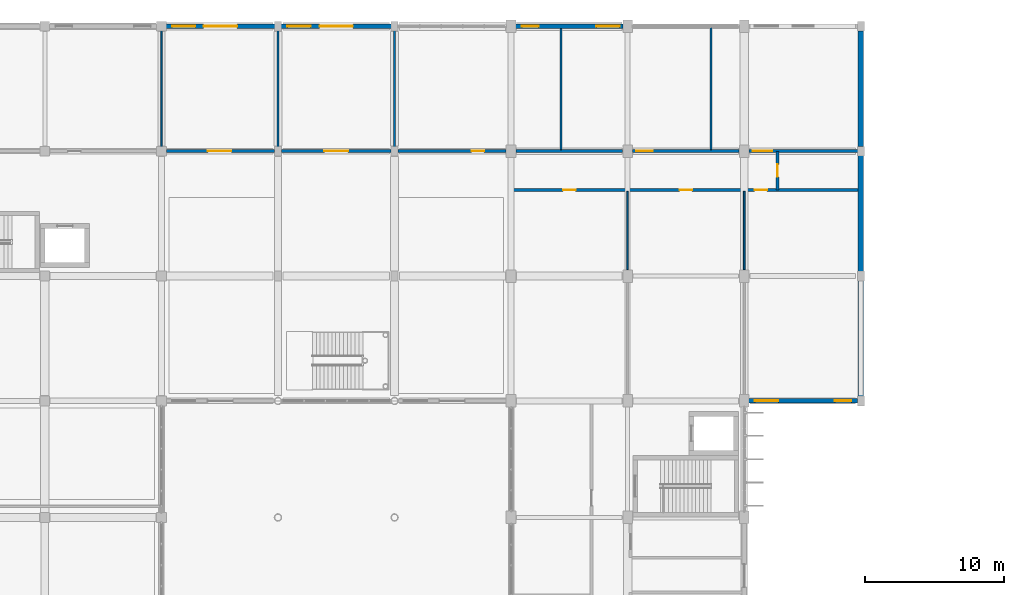
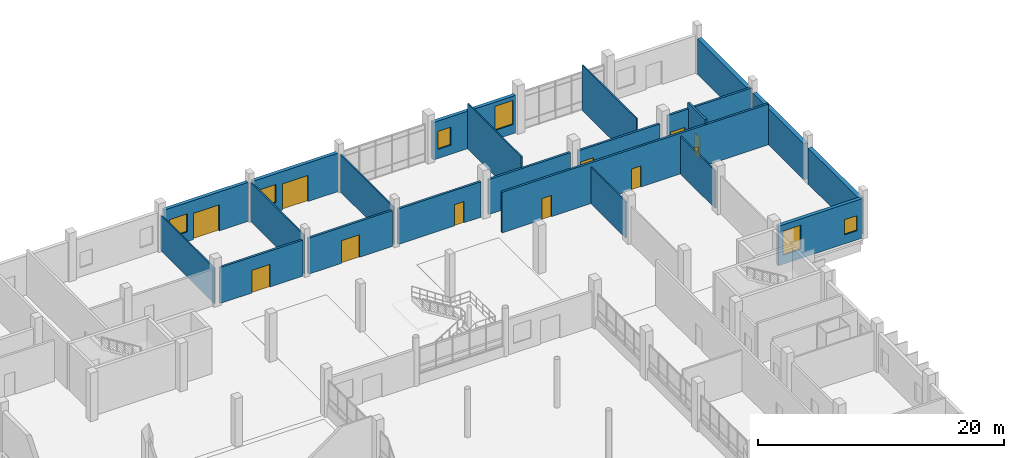
# One storey, part 81 of 95: 22 walls, 11 doors, 6 windows, 17 openings.
"""IFC4 building model written with IfcOpenShell, lengths in metres."""

from ifc_helpers import new_model, si_unit, direction, frame, frame_2d, origin, place, context, subcontext, project, spatial, rectangle, extrude, material, layer, layer_set, type_object, element, fill, save


model = new_model("IFC4")

# Units and contexts
model_context = context("Model", 3, precision=1e-05, world=origin(), true_north=direction((0.0, 1.0)))
body_context = subcontext(model_context, "Body", "Model", "MODEL_VIEW")
ifc_project = project(units=[si_unit("LENGTHUNIT", "METRE"), si_unit("AREAUNIT", "SQUARE_METRE"), si_unit("VOLUMEUNIT", "CUBIC_METRE"), si_unit("PLANEANGLEUNIT", "RADIAN"), si_unit("MASSUNIT", "GRAM", prefix="KILO")], contexts=[model_context])

# Site, building, storey
site_placement = place(None, origin())
site = spatial("IfcSite", under=ifc_project, at=site_placement, CompositionType="ELEMENT")
building_placement = place(site_placement, origin())
building = spatial("IfcBuilding", under=site, at=building_placement, Name="Vireocrest Preparatory School", CompositionType="ELEMENT")
storey_placement = place(building_placement, origin())
storey = spatial("IfcBuildingStorey", under=building, at=storey_placement, Name="L00", CompositionType="ELEMENT", Elevation=0.0)

# Wall, opening, door
ifc_material_1 = material(Name="Gypsum board on cold-formed steel studs", Category="steel")
ifc_layer_1 = layer(ifc_material_1, 0.199951171875)
ifc_layer_set_1 = layer_set([ifc_layer_1], Name="Gypsum board on cold-formed steel studs")
wall_type_1 = type_object("IfcWallType", Name="Corridor One-Hour Fire Partition 200", PredefinedType="PARTITIONING", material=ifc_layer_set_1)
wall_1_placement = place(storey_placement, frame((111.60009765625, 101.010009765625, 0.0), z_axis=(0.0, 0.0, 1.0), x_axis=(0.0, 1.0, 0.0)))
wall_1 = element("IfcWall", 1, at=wall_1_placement, inside=storey, type_object=wall_type_1, Name="Interior Partition W06 IW_L00_0067", PredefinedType="PARTITIONING", context=body_context, shape_type="SweptSolid", body=[
    extrude(rectangle(XDim=2.780029296875, YDim=0.199951171875, at=frame_2d((1.39013671875, 0.0))), origin(), (0.0, 0.0, 1.0), 4.5),
])
opening_1_placement = place(wall_1_placement, frame((0.93994140625, 0.0, 0.0)))
opening_1 = element("IfcOpeningElement", 2, at=opening_1_placement, cuts=wall_1, Name="Opening D-L00-NCEND", PredefinedType="OPENING", context=body_context, shape_type="SweptSolid", body=[
    extrude(rectangle(XDim=0.89990234375, YDim=2.10009765625, at=frame_2d((0.449951171875, 1.050048828125))), frame((0.0, 0.10986328125, 0.0), z_axis=(0.0, -1.0, 0.0), x_axis=(1.0, 0.0, 0.0)), (0.0, 0.0, 1.0), 0.219970703125),
])
ifc_material_2 = material(Name="Solid-core architectural birch timber", Category="wood")
door_type_1 = type_object("IfcDoorType", Name="Office Timber Door 900x2100", OperationType="NOTDEFINED", PredefinedType="DOOR", material=ifc_material_2)
door_1_placement = place(opening_1_placement, origin())
door_1 = element("IfcDoor", 3, at=door_1_placement, inside=storey, type_object=door_type_1, Name="Interior Door D-L00-NCEND", OperationType="SINGLE_SWING_LEFT", OverallHeight=2.10009765625, OverallWidth=0.89990234375, PredefinedType="DOOR", context=body_context, shape_type="SweptSolid", body=[
    extrude(rectangle(XDim=0.89990234375, YDim=2.10009765625, at=frame_2d((0.449951171875, 1.050048828125))), frame((0.0, 0.02490234375, 0.0), z_axis=(0.0, -1.0, 0.0), x_axis=(1.0, 0.0, 0.0)), (0.0, 0.0, 1.0), 0.050048828125),
])
fill(opening_1, door_1)

wall_2_placement = place(storey_placement, frame((67.56005859375, 103.800048828125, 0.0), z_axis=(0.0, 0.0, 1.0), x_axis=(1.0, 0.0, 0.0)))
wall_2 = element("IfcWall", 4, at=wall_2_placement, inside=storey, type_object=wall_type_1, Name="Interior Partition W06 IW_L00_0078", PredefinedType="PARTITIONING", context=body_context, shape_type="SweptSolid", body=[
    extrude(rectangle(XDim=7.780029296875, YDim=0.199951171875, at=frame_2d((3.89013671875, 0.0))), origin(), (0.0, 0.0, 1.0), 3.570068359375),
])
opening_2_placement = place(wall_2_placement, frame((2.989990234375, 0.0, 0.0)))
opening_2 = element("IfcOpeningElement", 5, at=opening_2_placement, cuts=wall_2, Name="Opening D-L00-NNE02", PredefinedType="OPENING", context=body_context, shape_type="SweptSolid", body=[
    extrude(rectangle(XDim=1.699951171875, YDim=2.25, at=frame_2d((0.85009765625, 1.125))), frame((0.0, 0.10986328125, 0.0), z_axis=(0.0, -1.0, 0.0), x_axis=(1.0, 0.0, 0.0)), (0.0, 0.0, 1.0), 0.219970703125),
])
ifc_material_3 = material(Name="Painted galvanized hollow steel", Category="steel")
door_type_2 = type_object("IfcDoorType", Name="Corridor Cross-Fire Double Door 1700x2250", OperationType="DOUBLE_DOOR_SINGLE_SWING", PredefinedType="DOOR", material=ifc_material_3)
door_2_placement = place(opening_2_placement, origin())
door_2 = element("IfcDoor", 6, at=door_2_placement, inside=storey, type_object=door_type_2, Name="Interior Door D-L00-NNE02", OperationType="DOUBLE_DOOR_SINGLE_SWING", OverallHeight=2.25, OverallWidth=1.699951171875, PredefinedType="DOOR", context=body_context, shape_type="SweptSolid", body=[
    extrude(rectangle(XDim=1.699951171875, YDim=2.25, at=frame_2d((0.85009765625, 1.125))), frame((0.0, 0.02490234375, 0.0), z_axis=(0.0, -1.0, 0.0), x_axis=(1.0, 0.0, 0.0)), (0.0, 0.0, 1.0), 0.050048828125),
])
fill(opening_2, door_2)

wall_3_placement = place(storey_placement, frame((75.860107421875, 103.800048828125, 0.0), z_axis=(0.0, 0.0, 1.0), x_axis=(1.0, 0.0, 0.0)))
wall_3 = element("IfcWall", 7, at=wall_3_placement, inside=storey, type_object=wall_type_1, Name="Interior Partition W06 IW_L00_0079", PredefinedType="PARTITIONING", context=body_context, shape_type="SweptSolid", body=[
    extrude(rectangle(XDim=7.8798828125, YDim=0.199951171875, at=frame_2d((3.93994140625, 0.0))), origin(), (0.0, 0.0, 1.0), 3.570068359375),
])
opening_3_placement = place(wall_3_placement, frame((3.090087890625, 0.0, 0.0)))
opening_3 = element("IfcOpeningElement", 8, at=opening_3_placement, cuts=wall_3, Name="Opening D-L00-NNE03", PredefinedType="OPENING", context=body_context, shape_type="SweptSolid", body=[
    extrude(rectangle(XDim=1.699951171875, YDim=2.25, at=frame_2d((0.85009765625, 1.125))), frame((0.0, 0.10986328125, 0.0), z_axis=(0.0, -1.0, 0.0), x_axis=(1.0, 0.0, 0.0)), (0.0, 0.0, 1.0), 0.219970703125),
])
door_3_placement = place(opening_3_placement, origin())
door_3 = element("IfcDoor", 9, at=door_3_placement, inside=storey, type_object=door_type_2, Name="Interior Door D-L00-NNE03", OperationType="DOUBLE_DOOR_SINGLE_SWING", OverallHeight=2.25, OverallWidth=1.699951171875, PredefinedType="DOOR", context=body_context, shape_type="SweptSolid", body=[
    extrude(rectangle(XDim=1.699951171875, YDim=2.25, at=frame_2d((0.85009765625, 1.125))), frame((0.0, 0.02490234375, 0.0), z_axis=(0.0, -1.0, 0.0), x_axis=(1.0, 0.0, 0.0)), (0.0, 0.0, 1.0), 0.050048828125),
])
fill(opening_3, door_3)

wall_4_placement = place(storey_placement, frame((84.260009765625, 103.800048828125, 0.0), z_axis=(0.0, 0.0, 1.0), x_axis=(1.0, 0.0, 0.0)))
wall_4 = element("IfcWall", 10, at=wall_4_placement, inside=storey, type_object=wall_type_1, Name="Interior Partition W06 IW_L00_0080", PredefinedType="PARTITIONING", context=body_context, shape_type="SweptSolid", body=[
    extrude(rectangle(XDim=7.780029296875, YDim=0.199951171875, at=frame_2d((3.89013671875, 0.0))), origin(), (0.0, 0.0, 1.0), 3.52001953125),
])
opening_4_placement = place(wall_4_placement, frame((5.2900390625, 0.0, 0.0)))
opening_4 = element("IfcOpeningElement", 11, at=opening_4_placement, cuts=wall_4, Name="Opening D-L00-NNE04", PredefinedType="OPENING", context=body_context, shape_type="SweptSolid", body=[
    extrude(rectangle(XDim=0.89990234375, YDim=2.10009765625, at=frame_2d((0.449951171875, 1.050048828125))), frame((0.0, 0.10986328125, 0.0), z_axis=(0.0, -1.0, 0.0), x_axis=(1.0, 0.0, 0.0)), (0.0, 0.0, 1.0), 0.219970703125),
])
door_4_placement = place(opening_4_placement, origin())
door_4 = element("IfcDoor", 12, at=door_4_placement, inside=storey, type_object=door_type_1, Name="Interior Door D-L00-NNE04", OperationType="SINGLE_SWING_RIGHT", OverallHeight=2.10009765625, OverallWidth=0.89990234375, PredefinedType="DOOR", context=body_context, shape_type="SweptSolid", body=[
    extrude(rectangle(XDim=0.89990234375, YDim=2.10009765625, at=frame_2d((0.449951171875, 1.050048828125))), frame((0.0, 0.02490234375, 0.0), z_axis=(0.0, -1.0, 0.0), x_axis=(1.0, 0.0, 0.0)), (0.0, 0.0, 1.0), 0.050048828125),
])
fill(opening_4, door_4)

# Wall
wall_5_placement = place(storey_placement, frame((92.760009765625, 103.800048828125, 0.0), z_axis=(0.0, 0.0, 1.0), x_axis=(1.0, 0.0, 0.0)))
element("IfcWall", 13, at=wall_5_placement, inside=storey, type_object=wall_type_1, Name="Interior Partition W06 IW_L00_0081", PredefinedType="PARTITIONING", context=body_context, shape_type="SweptSolid", body=[
    extrude(rectangle(XDim=7.679931640625, YDim=0.199951171875, at=frame_2d((3.83984375, 0.0))), origin(), (0.0, 0.0, 1.0), 3.469970703125),
])

# Wall, opening, door
wall_6_placement = place(storey_placement, frame((101.159912109375, 103.800048828125, 0.0), z_axis=(0.0, 0.0, 1.0), x_axis=(1.0, 0.0, 0.0)))
wall_6 = element("IfcWall", 14, at=wall_6_placement, inside=storey, type_object=wall_type_1, Name="Interior Partition W06 IW_L00_0082", PredefinedType="PARTITIONING", context=body_context, shape_type="SweptSolid", body=[
    extrude(rectangle(XDim=7.68017578125, YDim=0.199951171875, at=frame_2d((3.840087890625, 0.0))), origin(), (0.0, 0.0, 1.0), 3.3701171875),
])
opening_5_placement = place(wall_6_placement, frame((0.25, 0.0, 0.0)))
opening_5 = element("IfcOpeningElement", 15, at=opening_5_placement, cuts=wall_6, Name="Opening D-L00-NNE05", PredefinedType="OPENING", context=body_context, shape_type="SweptSolid", body=[
    extrude(rectangle(XDim=1.199951171875, YDim=2.199951171875, at=frame_2d((0.60009765625, 1.10009765625))), frame((0.0, 0.10986328125, 0.0), z_axis=(0.0, -1.0, 0.0), x_axis=(1.0, 0.0, 0.0)), (0.0, 0.0, 1.0), 0.219970703125),
])
door_type_3 = type_object("IfcDoorType", Name="Wide Accessible Studio Door 1200x2200", OperationType="NOTDEFINED", PredefinedType="DOOR", material=ifc_material_2)
door_5_placement = place(opening_5_placement, origin())
door_5 = element("IfcDoor", 16, at=door_5_placement, inside=storey, type_object=door_type_3, Name="Interior Door D-L00-NNE05", OperationType="SINGLE_SWING_LEFT", OverallHeight=2.199951171875, OverallWidth=1.199951171875, PredefinedType="DOOR", context=body_context, shape_type="SweptSolid", body=[
    extrude(rectangle(XDim=1.199951171875, YDim=2.199951171875, at=frame_2d((0.60009765625, 1.10009765625))), frame((0.0, 0.02490234375, 0.0), z_axis=(0.0, -1.0, 0.0), x_axis=(1.0, 0.0, 0.0)), (0.0, 0.0, 1.0), 0.050048828125),
])
fill(opening_5, door_5)

wall_7_placement = place(storey_placement, frame((109.56005859375, 103.800048828125, 0.0), z_axis=(0.0, 0.0, 1.0), x_axis=(1.0, 0.0, 0.0)))
wall_7 = element("IfcWall", 17, at=wall_7_placement, inside=storey, type_object=wall_type_1, Name="Interior Partition W06 IW_L00_0083", PredefinedType="PARTITIONING", context=body_context, shape_type="SweptSolid", body=[
    extrude(rectangle(XDim=7.844970703125, YDim=0.199951171875, at=frame_2d((3.92236328125, 0.0))), origin(), (0.0, 0.0, 1.0), 3.919921875),
])
opening_6_placement = place(wall_7_placement, frame((0.25, 0.0, 0.0)))
opening_6 = element("IfcOpeningElement", 18, at=opening_6_placement, cuts=wall_7, Name="Opening D-L00-NNE06", PredefinedType="OPENING", context=body_context, shape_type="SweptSolid", body=[
    extrude(rectangle(XDim=1.39990234375, YDim=2.199951171875, at=frame_2d((0.699951171875, 1.10009765625))), frame((0.0, 0.10986328125, 0.0), z_axis=(0.0, -1.0, 0.0), x_axis=(1.0, 0.0, 0.0)), (0.0, 0.0, 1.0), 0.219970703125),
])
door_type_4 = type_object("IfcDoorType", Name="Lab Equipment Unequal Pair Door 1400x2200", OperationType="DOUBLE_DOOR_SINGLE_SWING", PredefinedType="DOOR", material=ifc_material_3)
door_6_placement = place(opening_6_placement, origin())
door_6 = element("IfcDoor", 19, at=door_6_placement, inside=storey, type_object=door_type_4, Name="Interior Door D-L00-NNE06", OperationType="DOUBLE_DOOR_SINGLE_SWING", OverallHeight=2.199951171875, OverallWidth=1.39990234375, PredefinedType="DOOR", context=body_context, shape_type="SweptSolid", body=[
    extrude(rectangle(XDim=1.39990234375, YDim=2.199951171875, at=frame_2d((0.699951171875, 1.10009765625))), frame((0.0, 0.02490234375, 0.0), z_axis=(0.0, -1.0, 0.0), x_axis=(1.0, 0.0, 0.0)), (0.0, 0.0, 1.0), 0.050048828125),
])
fill(opening_6, door_6)

# Wall, openings, doors
wall_8_placement = place(storey_placement, frame((92.409912109375, 101.0, 0.0), z_axis=(0.0, 0.0, 1.0), x_axis=(1.0, 0.0, 0.0)))
wall_8 = element("IfcWall", 20, at=wall_8_placement, inside=storey, type_object=wall_type_1, Name="Interior Partition W06 IW_L00_0089", PredefinedType="PARTITIONING", context=body_context, shape_type="SweptSolid", body=[
    extrude(rectangle(XDim=24.9951171875, YDim=0.199951171875, at=frame_2d((12.49755859375, 0.0))), origin(), (0.0, 0.0, 1.0), 4.0400390625),
])
opening_7_placement = place(wall_8_placement, frame((3.739990234375, 0.0, 0.0)))
opening_7 = element("IfcOpeningElement", 21, at=opening_7_placement, cuts=wall_8, Name="Opening D-L00-NSE01", PredefinedType="OPENING", context=body_context, shape_type="SweptSolid", body=[
    extrude(rectangle(XDim=0.89990234375, YDim=2.10009765625, at=frame_2d((0.449951171875, 1.050048828125))), frame((0.0, 0.10986328125, 0.0), z_axis=(0.0, -1.0, 0.0), x_axis=(1.0, 0.0, 0.0)), (0.0, 0.0, 1.0), 0.219970703125),
])
opening_8_placement = place(wall_8_placement, frame((12.139892578125, 0.0, 0.0)))
opening_8 = element("IfcOpeningElement", 22, at=opening_8_placement, cuts=wall_8, Name="Opening D-L00-NSE02", PredefinedType="OPENING", context=body_context, shape_type="SweptSolid", body=[
    extrude(rectangle(XDim=0.89990234375, YDim=2.10009765625, at=frame_2d((0.449951171875, 1.050048828125))), frame((0.0, 0.10986328125, 0.0), z_axis=(0.0, -1.0, 0.0), x_axis=(1.0, 0.0, 0.0)), (0.0, 0.0, 1.0), 0.219970703125),
])
opening_9_placement = place(wall_8_placement, frame((17.5400390625, 0.0, 0.0)))
opening_9 = element("IfcOpeningElement", 23, at=opening_9_placement, cuts=wall_8, Name="Opening D-L00-NSE03", PredefinedType="OPENING", context=body_context, shape_type="SweptSolid", body=[
    extrude(rectangle(XDim=0.89990234375, YDim=2.10009765625, at=frame_2d((0.449951171875, 1.050048828125))), frame((0.0, 0.10986328125, 0.0), z_axis=(0.0, -1.0, 0.0), x_axis=(1.0, 0.0, 0.0)), (0.0, 0.0, 1.0), 0.219970703125),
])
door_7_placement = place(opening_7_placement, origin())
door_7 = element("IfcDoor", 24, at=door_7_placement, inside=storey, type_object=door_type_1, Name="Interior Door D-L00-NSE01", OperationType="SINGLE_SWING_LEFT", OverallHeight=2.10009765625, OverallWidth=0.89990234375, PredefinedType="DOOR", context=body_context, shape_type="SweptSolid", body=[
    extrude(rectangle(XDim=0.89990234375, YDim=2.10009765625, at=frame_2d((0.449951171875, 1.050048828125))), frame((0.0, 0.02490234375, 0.0), z_axis=(0.0, -1.0, 0.0), x_axis=(1.0, 0.0, 0.0)), (0.0, 0.0, 1.0), 0.050048828125),
])
fill(opening_7, door_7)
door_8_placement = place(opening_8_placement, origin())
door_8 = element("IfcDoor", 25, at=door_8_placement, inside=storey, type_object=door_type_1, Name="Interior Door D-L00-NSE02", OperationType="SINGLE_SWING_RIGHT", OverallHeight=2.10009765625, OverallWidth=0.89990234375, PredefinedType="DOOR", context=body_context, shape_type="SweptSolid", body=[
    extrude(rectangle(XDim=0.89990234375, YDim=2.10009765625, at=frame_2d((0.449951171875, 1.050048828125))), frame((0.0, 0.02490234375, 0.0), z_axis=(0.0, -1.0, 0.0), x_axis=(1.0, 0.0, 0.0)), (0.0, 0.0, 1.0), 0.050048828125),
])
fill(opening_8, door_8)
door_9_placement = place(opening_9_placement, origin())
door_9 = element("IfcDoor", 26, at=door_9_placement, inside=storey, type_object=door_type_1, Name="Interior Door D-L00-NSE03", OperationType="SINGLE_SWING_LEFT", OverallHeight=2.10009765625, OverallWidth=0.89990234375, PredefinedType="DOOR", context=body_context, shape_type="SweptSolid", body=[
    extrude(rectangle(XDim=0.89990234375, YDim=2.10009765625, at=frame_2d((0.449951171875, 1.050048828125))), frame((0.0, 0.02490234375, 0.0), z_axis=(0.0, -1.0, 0.0), x_axis=(1.0, 0.0, 0.0)), (0.0, 0.0, 1.0), 0.050048828125),
])
fill(opening_9, door_9)

# Wall, openings, windows
ifc_material_4 = material(Name="Precast white concrete 40 MPa", Category="concrete")
ifc_layer_2 = layer(ifc_material_4, 0.320068359375)
ifc_layer_set_2 = layer_set([ifc_layer_2], Name="Precast white concrete 40 MPa")
wall_type_2 = type_object("IfcWallType", Name="High-Tech Insulated Rainscreen External Wall 320", PredefinedType="SOLIDWALL", material=ifc_layer_set_2)
wall_9_placement = place(storey_placement, frame((109.52490234375, 85.800048828125, 0.0), z_axis=(0.0, 0.0, 1.0), x_axis=(1.0, 0.0, 0.0)))
wall_9 = element("IfcWall", 27, at=wall_9_placement, inside=storey, type_object=wall_type_2, Name="External Wall W12 EW_L00_0069", PredefinedType="SOLIDWALL", context=body_context, shape_type="SweptSolid", body=[
    extrude(rectangle(XDim=7.85009765625, YDim=0.320068359375, at=frame_2d((3.925048828125, 0.0))), origin(), (0.0, 0.0, 1.0), 3.919921875),
])
opening_10_placement = place(wall_9_placement, frame((0.449951171875, 0.0, 0.89990234375)))
opening_10 = element("IfcOpeningElement", 28, at=opening_10_placement, cuts=wall_9, Name="Opening WN07", PredefinedType="OPENING", context=body_context, shape_type="SweptSolid", body=[
    extrude(rectangle(XDim=1.679931640625, YDim=2.39990234375, at=frame_2d((0.83984375, 1.199951171875))), frame((0.0, 0.169921875, 0.0), z_axis=(0.0, -1.0, 0.0), x_axis=(1.0, 0.0, 0.0)), (0.0, 0.0, 1.0), 0.340087890625),
])
opening_11_placement = place(wall_9_placement, frame((6.199951171875, 0.0, 0.89990234375)))
opening_11 = element("IfcOpeningElement", 29, at=opening_11_placement, cuts=wall_9, Name="Opening WN01", PredefinedType="OPENING", context=body_context, shape_type="SweptSolid", body=[
    extrude(rectangle(XDim=1.199951171875, YDim=1.5, at=frame_2d((0.60009765625, 0.75))), frame((0.0, 0.169921875, 0.0), z_axis=(0.0, -1.0, 0.0), x_axis=(1.0, 0.0, 0.0)), (0.0, 0.0, 1.0), 0.340087890625),
])
ifc_material_5 = material(Name="Thermally broken aluminium EN AW-6063-T6", Category="aluminium")
window_type_1 = type_object("IfcWindowType", Name="Module Lab Window 1680x2400", PartitioningType="SINGLE_PANEL", PredefinedType="WINDOW", material=ifc_material_5)
window_1_placement = place(opening_10_placement, origin())
window_1 = element("IfcWindow", 30, at=window_1_placement, inside=storey, type_object=window_type_1, Name="Window W-L00-011 (WN07)", OverallHeight=2.39990234375, OverallWidth=1.679931640625, PartitioningType="SINGLE_PANEL", PredefinedType="WINDOW", context=body_context, shape_type="SweptSolid", body=[
    extrude(rectangle(XDim=1.679931640625, YDim=2.39990234375, at=frame_2d((0.83984375, 1.199951171875))), frame((0.0, 0.030029296875, 0.0), z_axis=(0.0, -1.0, 0.0), x_axis=(1.0, 0.0, 0.0)), (0.0, 0.0, 1.0), 0.06005859375),
])
fill(opening_10, window_1)
window_type_2 = type_object("IfcWindowType", Name="Office Punched Window 1200x1500", PartitioningType="SINGLE_PANEL", PredefinedType="WINDOW", material=ifc_material_5)
window_2_placement = place(opening_11_placement, origin())
window_2 = element("IfcWindow", 31, at=window_2_placement, inside=storey, type_object=window_type_2, Name="Window W-L00-012 (WN01)", OverallHeight=1.5, OverallWidth=1.199951171875, PartitioningType="SINGLE_PANEL", PredefinedType="WINDOW", context=body_context, shape_type="SweptSolid", body=[
    extrude(rectangle(XDim=1.199951171875, YDim=1.5, at=frame_2d((0.60009765625, 0.75))), frame((0.0, 0.030029296875, 0.0), z_axis=(0.0, -1.0, 0.0), x_axis=(1.0, 0.0, 0.0)), (0.0, 0.0, 1.0), 0.06005859375),
])
fill(opening_11, window_2)

# Wall, openings, door, window
wall_10_placement = place(storey_placement, frame((67.52490234375, 112.800048828125, 0.0), z_axis=(0.0, 0.0, 1.0), x_axis=(1.0, 0.0, 0.0)))
wall_10 = element("IfcWall", 32, at=wall_10_placement, inside=storey, type_object=wall_type_2, Name="External Wall W12 EW_L00_0076", PredefinedType="SOLIDWALL", context=body_context, shape_type="SweptSolid", body=[
    extrude(rectangle(XDim=7.85009765625, YDim=0.320068359375, at=frame_2d((3.925048828125, 0.0))), origin(), (0.0, 0.0, 1.0), 3.8701171875),
])
opening_12_placement = place(wall_10_placement, frame((2.72509765625, 0.0, 0.0)))
opening_12 = element("IfcOpeningElement", 33, at=opening_12_placement, cuts=wall_10, Name="Opening E1", PredefinedType="OPENING", context=body_context, shape_type="SweptSolid", body=[
    extrude(rectangle(XDim=2.39990234375, YDim=2.60009765625, at=frame_2d((1.199951171875, 1.300048828125))), frame((0.0, 0.169921875, 0.0), z_axis=(0.0, -1.0, 0.0), x_axis=(1.0, 0.0, 0.0)), (0.0, 0.0, 1.0), 0.340087890625),
])
opening_13_placement = place(wall_10_placement, frame((0.449951171875, 0.0, 0.949951171875)))
opening_13 = element("IfcOpeningElement", 34, at=opening_13_placement, cuts=wall_10, Name="Opening WN05", PredefinedType="OPENING", context=body_context, shape_type="SweptSolid", body=[
    extrude(rectangle(XDim=1.679931640625, YDim=1.800048828125, at=frame_2d((0.83984375, 0.89990234375))), frame((0.0, 0.169921875, 0.0), z_axis=(0.0, -1.0, 0.0), x_axis=(1.0, 0.0, 0.0)), (0.0, 0.0, 1.0), 0.340087890625),
])
ifc_material_6 = material(Name="Thermally broken glazed aluminium", Category="aluminium")
door_type_5 = type_object("IfcDoorType", Name="Main Entrance Glazed Double Exit Door 2400x2600", OperationType="DOUBLE_DOOR_SINGLE_SWING", PredefinedType="DOOR", material=ifc_material_6)
door_10_placement = place(opening_12_placement, origin())
door_10 = element("IfcDoor", 35, at=door_10_placement, inside=storey, type_object=door_type_5, Name="Main Entrance E1 North West", OperationType="DOUBLE_DOOR_SINGLE_SWING", OverallHeight=2.60009765625, OverallWidth=2.39990234375, PredefinedType="DOOR", context=body_context, shape_type="SweptSolid", body=[
    extrude(rectangle(XDim=2.39990234375, YDim=2.60009765625, at=frame_2d((1.199951171875, 1.300048828125))), frame((0.0, 0.02490234375, 0.0), z_axis=(0.0, -1.0, 0.0), x_axis=(1.0, 0.0, 0.0)), (0.0, 0.0, 1.0), 0.050048828125),
])
fill(opening_12, door_10)
window_type_3 = type_object("IfcWindowType", Name="Module Classroom Window 1680x1800", PartitioningType="SINGLE_PANEL", PredefinedType="WINDOW", material=ifc_material_5)
window_3_placement = place(opening_13_placement, origin())
window_3 = element("IfcWindow", 36, at=window_3_placement, inside=storey, type_object=window_type_3, Name="Window W-L00-017 (WN05)", OverallHeight=1.800048828125, OverallWidth=1.679931640625, PartitioningType="SINGLE_PANEL", PredefinedType="WINDOW", context=body_context, shape_type="SweptSolid", body=[
    extrude(rectangle(XDim=1.679931640625, YDim=1.800048828125, at=frame_2d((0.83984375, 0.89990234375))), frame((0.0, 0.030029296875, 0.0), z_axis=(0.0, -1.0, 0.0), x_axis=(1.0, 0.0, 0.0)), (0.0, 0.0, 1.0), 0.06005859375),
])
fill(opening_13, window_3)

wall_11_placement = place(storey_placement, frame((75.824951171875, 112.800048828125, 0.0), z_axis=(0.0, 0.0, 1.0), x_axis=(1.0, 0.0, 0.0)))
wall_11 = element("IfcWall", 37, at=wall_11_placement, inside=storey, type_object=wall_type_2, Name="External Wall W12 EW_L00_0077", PredefinedType="SOLIDWALL", context=body_context, shape_type="SweptSolid", body=[
    extrude(rectangle(XDim=7.949951171875, YDim=0.320068359375, at=frame_2d((3.97509765625, 0.0))), origin(), (0.0, 0.0, 1.0), 3.820068359375),
])
opening_14_placement = place(wall_11_placement, frame((2.77490234375, 0.0, 0.0)))
opening_14 = element("IfcOpeningElement", 38, at=opening_14_placement, cuts=wall_11, Name="Opening E2", PredefinedType="OPENING", context=body_context, shape_type="SweptSolid", body=[
    extrude(rectangle(XDim=2.39990234375, YDim=2.60009765625, at=frame_2d((1.199951171875, 1.300048828125))), frame((0.0, 0.169921875, 0.0), z_axis=(0.0, -1.0, 0.0), x_axis=(1.0, 0.0, 0.0)), (0.0, 0.0, 1.0), 0.340087890625),
])
opening_15_placement = place(wall_11_placement, frame((0.449951171875, 0.0, 0.949951171875)))
opening_15 = element("IfcOpeningElement", 39, at=opening_15_placement, cuts=wall_11, Name="Opening WN05", PredefinedType="OPENING", context=body_context, shape_type="SweptSolid", body=[
    extrude(rectangle(XDim=1.679931640625, YDim=1.800048828125, at=frame_2d((0.83984375, 0.89990234375))), frame((0.0, 0.169921875, 0.0), z_axis=(0.0, -1.0, 0.0), x_axis=(1.0, 0.0, 0.0)), (0.0, 0.0, 1.0), 0.340087890625),
])
door_11_placement = place(opening_14_placement, origin())
door_11 = element("IfcDoor", 40, at=door_11_placement, inside=storey, type_object=door_type_5, Name="Main Entrance E2 North East", OperationType="DOUBLE_DOOR_SINGLE_SWING", OverallHeight=2.60009765625, OverallWidth=2.39990234375, PredefinedType="DOOR", context=body_context, shape_type="SweptSolid", body=[
    extrude(rectangle(XDim=2.39990234375, YDim=2.60009765625, at=frame_2d((1.199951171875, 1.300048828125))), frame((0.0, 0.02490234375, 0.0), z_axis=(0.0, -1.0, 0.0), x_axis=(1.0, 0.0, 0.0)), (0.0, 0.0, 1.0), 0.050048828125),
])
fill(opening_14, door_11)
window_4_placement = place(opening_15_placement, origin())
window_4 = element("IfcWindow", 41, at=window_4_placement, inside=storey, type_object=window_type_3, Name="Window W-L00-018 (WN05)", OverallHeight=1.800048828125, OverallWidth=1.679931640625, PartitioningType="SINGLE_PANEL", PredefinedType="WINDOW", context=body_context, shape_type="SweptSolid", body=[
    extrude(rectangle(XDim=1.679931640625, YDim=1.800048828125, at=frame_2d((0.83984375, 0.89990234375))), frame((0.0, 0.030029296875, 0.0), z_axis=(0.0, -1.0, 0.0), x_axis=(1.0, 0.0, 0.0)), (0.0, 0.0, 1.0), 0.06005859375),
])
fill(opening_15, window_4)

# Wall, openings, windows
wall_12_placement = place(storey_placement, frame((92.72509765625, 112.800048828125, 0.0), z_axis=(0.0, 0.0, 1.0), x_axis=(1.0, 0.0, 0.0)))
wall_12 = element("IfcWall", 42, at=wall_12_placement, inside=storey, type_object=wall_type_2, Name="External Wall W12 EW_L00_0079", PredefinedType="SOLIDWALL", context=body_context, shape_type="SweptSolid", body=[
    extrude(rectangle(XDim=7.75, YDim=0.320068359375, at=frame_2d((3.875, 0.0))), origin(), (0.0, 0.0, 1.0), 3.719970703125),
])
opening_16_placement = place(wall_12_placement, frame((0.449951171875, 0.0, 0.89990234375)))
opening_16 = element("IfcOpeningElement", 43, at=opening_16_placement, cuts=wall_12, Name="Opening WN02", PredefinedType="OPENING", context=body_context, shape_type="SweptSolid", body=[
    extrude(rectangle(XDim=1.199951171875, YDim=1.800048828125, at=frame_2d((0.60009765625, 0.89990234375))), frame((0.0, 0.169921875, 0.0), z_axis=(0.0, -1.0, 0.0), x_axis=(1.0, 0.0, 0.0)), (0.0, 0.0, 1.0), 0.340087890625),
])
opening_17_placement = place(wall_12_placement, frame((5.820068359375, 0.0, 0.89990234375)))
opening_17 = element("IfcOpeningElement", 44, at=opening_17_placement, cuts=wall_12, Name="Opening WN07", PredefinedType="OPENING", context=body_context, shape_type="SweptSolid", body=[
    extrude(rectangle(XDim=1.679931640625, YDim=2.39990234375, at=frame_2d((0.83984375, 1.199951171875))), frame((0.0, 0.169921875, 0.0), z_axis=(0.0, -1.0, 0.0), x_axis=(1.0, 0.0, 0.0)), (0.0, 0.0, 1.0), 0.340087890625),
])
window_type_4 = type_object("IfcWindowType", Name="Counseling Window 1200x1800", PartitioningType="SINGLE_PANEL", PredefinedType="WINDOW", material=ifc_material_5)
window_5_placement = place(opening_16_placement, origin())
window_5 = element("IfcWindow", 45, at=window_5_placement, inside=storey, type_object=window_type_4, Name="Window W-L00-019 (WN02)", OverallHeight=1.800048828125, OverallWidth=1.199951171875, PartitioningType="SINGLE_PANEL", PredefinedType="WINDOW", context=body_context, shape_type="SweptSolid", body=[
    extrude(rectangle(XDim=1.199951171875, YDim=1.800048828125, at=frame_2d((0.60009765625, 0.89990234375))), frame((0.0, 0.030029296875, 0.0), z_axis=(0.0, -1.0, 0.0), x_axis=(1.0, 0.0, 0.0)), (0.0, 0.0, 1.0), 0.06005859375),
])
fill(opening_16, window_5)
window_6_placement = place(opening_17_placement, origin())
window_6 = element("IfcWindow", 46, at=window_6_placement, inside=storey, type_object=window_type_1, Name="Window W-L00-020 (WN07)", OverallHeight=2.39990234375, OverallWidth=1.679931640625, PartitioningType="SINGLE_PANEL", PredefinedType="WINDOW", context=body_context, shape_type="SweptSolid", body=[
    extrude(rectangle(XDim=1.679931640625, YDim=2.39990234375, at=frame_2d((0.83984375, 1.199951171875))), frame((0.0, 0.030029296875, 0.0), z_axis=(0.0, -1.0, 0.0), x_axis=(1.0, 0.0, 0.0)), (0.0, 0.0, 1.0), 0.06005859375),
])
fill(opening_17, window_6)

# Walls
ifc_layer_3 = layer(ifc_material_1, 0.1201171875)
ifc_layer_set_3 = layer_set([ifc_layer_3], Name="Gypsum board on cold-formed steel studs")
wall_type_3 = type_object("IfcWallType", Name="Office Stud Partition Wall 120", PredefinedType="PARTITIONING", material=ifc_layer_set_3)
wall_13_placement = place(storey_placement, frame((67.199951171875, 103.905029296875, 0.0), z_axis=(0.0, 0.0, 1.0), x_axis=(0.0, 1.0, 0.0)))
element("IfcWall", 47, at=wall_13_placement, inside=storey, type_object=wall_type_3, Name="Interior Partition W02 IW_L00_0071", PredefinedType="PARTITIONING", context=body_context, shape_type="SweptSolid", body=[
    extrude(rectangle(XDim=8.72998046875, YDim=0.1201171875, at=frame_2d((4.364990234375, 0.0))), origin(), (0.0, 0.0, 1.0), 3.52001953125),
])
wall_14_placement = place(storey_placement, frame((75.60009765625, 103.905029296875, 0.0), z_axis=(0.0, 0.0, 1.0), x_axis=(0.0, 1.0, 0.0)))
element("IfcWall", 48, at=wall_14_placement, inside=storey, type_object=wall_type_3, Name="Interior Partition W02 IW_L00_0072", PredefinedType="PARTITIONING", context=body_context, shape_type="SweptSolid", body=[
    extrude(rectangle(XDim=8.72998046875, YDim=0.1201171875, at=frame_2d((4.364990234375, 0.0))), origin(), (0.0, 0.0, 1.0), 3.8701171875),
])
wall_15_placement = place(storey_placement, frame((84.0, 103.905029296875, 0.0), z_axis=(0.0, 0.0, 1.0), x_axis=(0.0, 1.0, 0.0)))
element("IfcWall", 49, at=wall_15_placement, inside=storey, type_object=wall_type_3, Name="Interior Partition W02 IW_L00_0073", PredefinedType="PARTITIONING", context=body_context, shape_type="SweptSolid", body=[
    extrude(rectangle(XDim=8.72998046875, YDim=0.1201171875, at=frame_2d((4.364990234375, 0.0))), origin(), (0.0, 0.0, 1.0), 3.719970703125),
])
wall_16_placement = place(storey_placement, frame((96.0, 103.905029296875, 0.0), z_axis=(0.0, 0.0, 1.0), x_axis=(0.0, 1.0, 0.0)))
element("IfcWall", 50, at=wall_16_placement, inside=storey, type_object=wall_type_3, Name="Interior Partition W02 IW_L00_0074", PredefinedType="PARTITIONING", context=body_context, shape_type="SweptSolid", body=[
    extrude(rectangle(XDim=8.72998046875, YDim=0.1201171875, at=frame_2d((4.364990234375, 0.0))), origin(), (0.0, 0.0, 1.0), 4.5),
])
wall_17_placement = place(storey_placement, frame((106.800048828125, 103.905029296875, 0.0), z_axis=(0.0, 0.0, 1.0), x_axis=(0.0, 1.0, 0.0)))
element("IfcWall", 51, at=wall_17_placement, inside=storey, type_object=wall_type_3, Name="Interior Partition W02 IW_L00_0075", PredefinedType="PARTITIONING", context=body_context, shape_type="SweptSolid", body=[
    extrude(rectangle(XDim=8.7900390625, YDim=0.1201171875, at=frame_2d((4.39501953125, 0.0))), origin(), (0.0, 0.0, 1.0), 4.5),
])
wall_18_placement = place(storey_placement, frame((100.800048828125, 95.260009765625, 0.0), z_axis=(0.0, 0.0, 1.0), x_axis=(0.0, 1.0, 0.0)))
element("IfcWall", 52, at=wall_18_placement, inside=storey, type_object=wall_type_3, Name="Interior Partition W02 IW_L00_0086", PredefinedType="PARTITIONING", context=body_context, shape_type="SweptSolid", body=[
    extrude(rectangle(XDim=5.635009765625, YDim=0.1201171875, at=frame_2d((2.8173828125, 0.0))), origin(), (0.0, 0.0, 1.0), 3.6201171875),
])
wall_19_placement = place(storey_placement, frame((109.199951171875, 95.260009765625, 0.0), z_axis=(0.0, 0.0, 1.0), x_axis=(0.0, 1.0, 0.0)))
element("IfcWall", 53, at=wall_19_placement, inside=storey, type_object=wall_type_3, Name="Interior Partition W02 IW_L00_0088", PredefinedType="PARTITIONING", context=body_context, shape_type="SweptSolid", body=[
    extrude(rectangle(XDim=5.635009765625, YDim=0.1201171875, at=frame_2d((2.8173828125, 0.0))), origin(), (0.0, 0.0, 1.0), 3.719970703125),
])
ifc_material_7 = material(Name="Concrete 45 MPa", Category="concrete")
ifc_layer_4 = layer(ifc_material_7, 0.3798828125)
ifc_layer_set_4 = layer_set([ifc_layer_4], Name="Concrete 45 MPa")
wall_type_4 = type_object("IfcWallType", Name="Two-Hour RC Lot-Line Shear Wall 380", PredefinedType="SHEAR", material=ifc_layer_set_4)
for number, where, z_axis, x_axis, name in (
    (54, (117.60009765625, 86.125, 0.0), (0.0, 0.0, 1.0), (0.0, 1.0, 0.0), "External Wall PW1 PARTY_L00_0070"),
    (55, (117.60009765625, 95.125, 0.0), (0.0, 0.0, 1.0), (0.0, 1.0, 0.0), "External Wall PW1 PARTY_L00_0071"),
):
    element("IfcWall", number, at=place(storey_placement, frame(where, z_axis=z_axis, x_axis=x_axis)), inside=storey, type_object=wall_type_4, Name=name, PredefinedType="SHEAR", context=body_context, shape_type="SweptSolid", body=[
        extrude(rectangle(XDim=8.35009765625, YDim=0.3798828125, at=frame_2d((4.175048828125, 0.0))), origin(), (0.0, 0.0, 1.0), 3.570068359375),
    ])
wall_20_placement = place(storey_placement, frame((117.60009765625, 104.125, 0.0), z_axis=(0.0, 0.0, 1.0), x_axis=(0.0, 1.0, 0.0)))
element("IfcWall", 56, at=wall_20_placement, inside=storey, type_object=wall_type_4, Name="External Wall PW1 PARTY_L00_0072", PredefinedType="SHEAR", context=body_context, shape_type="SweptSolid", body=[
    extrude(rectangle(XDim=8.35009765625, YDim=0.3798828125, at=frame_2d((4.175048828125, 0.0))), origin(), (0.0, 0.0, 1.0), 3.52001953125),
])

save(model, "model.ifc")
